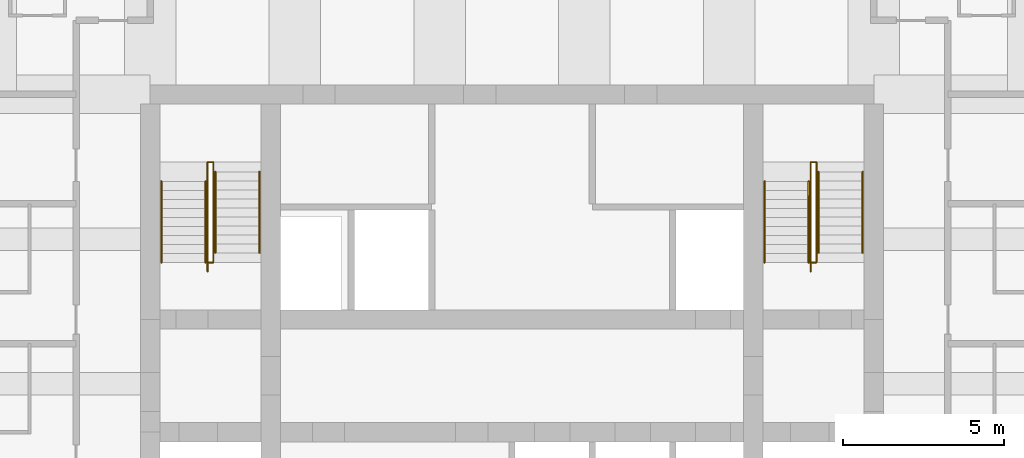
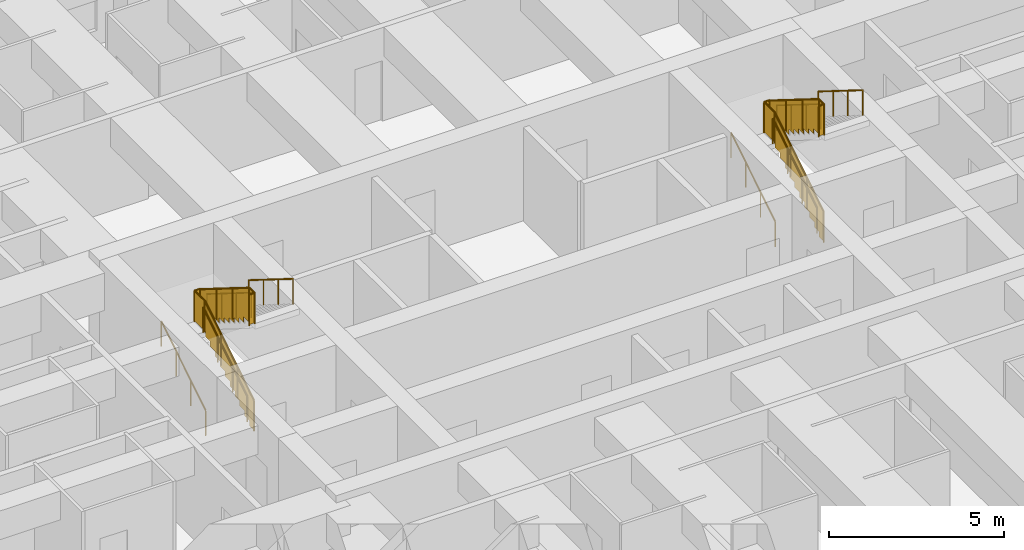
# One storey, part 8 of 8: 12 railings.
"""IFC4 building model written with IfcOpenShell, lengths in metres."""

from ifc_helpers import new_model, si_unit, direction, frame, origin, origin_2d, place, context, subcontext, project, spatial, polyline, circle, outline, extrude, material, type_object, element, save


model = new_model("IFC4")

# Units and contexts
model_context = context("Model", 3, precision=1e-05, world=origin(), true_north=direction((0.0, 1.0)))
body_context = subcontext(model_context, "Body", "Model", "MODEL_VIEW")
ifc_project = project(units=[si_unit("LENGTHUNIT", "METRE"), si_unit("AREAUNIT", "SQUARE_METRE"), si_unit("VOLUMEUNIT", "CUBIC_METRE"), si_unit("PLANEANGLEUNIT", "RADIAN"), si_unit("MASSUNIT", "GRAM", prefix="KILO")], contexts=[model_context])

# Site, building, storey
site_placement = place(None, origin())
site = spatial("IfcSite", under=ifc_project, at=site_placement, CompositionType="ELEMENT")
building_placement = place(site_placement, origin())
building = spatial("IfcBuilding", under=site, at=building_placement, Name="Kilele Tower Hotel", CompositionType="ELEMENT")
storey_placement = place(building_placement, frame((0.0, 0.0, 107.39990234375)))
storey = spatial("IfcBuildingStorey", under=building, at=storey_placement, Name="L27", CompositionType="ELEMENT", Elevation=107.39990234375)

# Railings
ifc_material_1 = material(Name="Steel handrail", Category="steel")
railing_type_1 = type_object("IfcRailingType", Name="Handrail 900", PredefinedType="HANDRAIL", material=ifc_material_1)
for number, where, name in (
    (1, (13.85009765625, 21.77490234375, 0.175048828125), "Handrail ST1 flight 1"),
    (2, (15.22509765625, 21.77490234375, 0.175048828125), "Handrail ST1 flight 1"),
):
    element("IfcRailing", number, at=place(storey_placement, frame(where)), inside=storey, type_object=railing_type_1, Name=name, PredefinedType="HANDRAIL", context=body_context, shape_type="SweptSolid", body=[
        extrude(circle(Radius=0.02490234375, at=origin_2d()), frame((0.0, 0.0, 0.875), z_axis=(0.0, 0.848007534815, 0.529984170421), x_axis=(-1.0, 0.0, 0.0)), (0.0, 0.0, 1.0), 2.9716796875),
        extrude(circle(Radius=0.02001953125, at=origin_2d()), origin(), (0.0, 0.0, 1.0), 0.849853515625),
        extrude(circle(Radius=0.02001953125, at=origin_2d()), frame((0.0, 0.840087890625, 0.52490234375)), (0.0, 0.0, 1.0), 0.849853515625),
        extrude(circle(Radius=0.02001953125, at=origin_2d()), frame((0.0, 1.679931640625, 1.050048828125)), (0.0, 0.0, 1.0), 0.849853515625),
        extrude(circle(Radius=0.02001953125, at=origin_2d()), frame((0.0, 2.52001953125, 1.574951171875)), (0.0, 0.0, 1.0), 0.849853515625),
    ])
for number, where, name in (
    (3, (15.52490234375, 24.594970703125, 1.925048828125), "Handrail ST1 flight 2"),
    (4, (16.89990234375, 24.594970703125, 1.925048828125), "Handrail ST1 flight 2"),
):
    element("IfcRailing", number, at=place(storey_placement, frame(where)), inside=storey, type_object=railing_type_1, Name=name, PredefinedType="HANDRAIL", context=body_context, shape_type="SweptSolid", body=[
        extrude(circle(Radius=0.02490234375, at=origin_2d()), frame((0.0, 0.0, 0.875), z_axis=(0.0, -0.848007534815, 0.529984170421), x_axis=(1.0, 0.0, 0.0)), (0.0, 0.0, 1.0), 2.9716796875),
        extrude(circle(Radius=0.02001953125, at=origin_2d()), origin(), (0.0, 0.0, 1.0), 0.849853515625),
        extrude(circle(Radius=0.02001953125, at=origin_2d()), frame((0.0, -0.840087890625, 0.52490234375)), (0.0, 0.0, 1.0), 0.849853515625),
        extrude(circle(Radius=0.02001953125, at=origin_2d()), frame((0.0, -1.679931640625, 1.050048828125)), (0.0, 0.0, 1.0), 0.849853515625),
        extrude(circle(Radius=0.02001953125, at=origin_2d()), frame((0.0, -2.52001953125, 1.574951171875)), (0.0, 0.0, 1.0), 0.849853515625),
    ])
for number, where, name in (
    (5, (32.60009765625, 21.77490234375, 0.175048828125), "Handrail ST2 flight 1"),
    (6, (33.97509765625, 21.77490234375, 0.175048828125), "Handrail ST2 flight 1"),
):
    element("IfcRailing", number, at=place(storey_placement, frame(where)), inside=storey, type_object=railing_type_1, Name=name, PredefinedType="HANDRAIL", context=body_context, shape_type="SweptSolid", body=[
        extrude(circle(Radius=0.02490234375, at=origin_2d()), frame((0.0, 0.0, 0.875), z_axis=(0.0, 0.848007534815, 0.529984170421), x_axis=(-1.0, 0.0, 0.0)), (0.0, 0.0, 1.0), 2.9716796875),
        extrude(circle(Radius=0.02001953125, at=origin_2d()), origin(), (0.0, 0.0, 1.0), 0.849853515625),
        extrude(circle(Radius=0.02001953125, at=origin_2d()), frame((0.0, 0.840087890625, 0.52490234375)), (0.0, 0.0, 1.0), 0.849853515625),
        extrude(circle(Radius=0.02001953125, at=origin_2d()), frame((0.0, 1.679931640625, 1.050048828125)), (0.0, 0.0, 1.0), 0.849853515625),
        extrude(circle(Radius=0.02001953125, at=origin_2d()), frame((0.0, 2.52001953125, 1.574951171875)), (0.0, 0.0, 1.0), 0.849853515625),
    ])
for number, where, name in (
    (7, (34.27490234375, 24.594970703125, 1.925048828125), "Handrail ST2 flight 2"),
    (8, (35.64990234375, 24.594970703125, 1.925048828125), "Handrail ST2 flight 2"),
):
    element("IfcRailing", number, at=place(storey_placement, frame(where)), inside=storey, type_object=railing_type_1, Name=name, PredefinedType="HANDRAIL", context=body_context, shape_type="SweptSolid", body=[
        extrude(circle(Radius=0.02490234375, at=origin_2d()), frame((0.0, 0.0, 0.875), z_axis=(0.0, -0.848007534815, 0.529984170421), x_axis=(1.0, 0.0, 0.0)), (0.0, 0.0, 1.0), 2.9716796875),
        extrude(circle(Radius=0.02001953125, at=origin_2d()), origin(), (0.0, 0.0, 1.0), 0.849853515625),
        extrude(circle(Radius=0.02001953125, at=origin_2d()), frame((0.0, -0.840087890625, 0.52490234375)), (0.0, 0.0, 1.0), 0.849853515625),
        extrude(circle(Radius=0.02001953125, at=origin_2d()), frame((0.0, -1.679931640625, 1.050048828125)), (0.0, 0.0, 1.0), 0.849853515625),
        extrude(circle(Radius=0.02001953125, at=origin_2d()), frame((0.0, -2.52001953125, 1.574951171875)), (0.0, 0.0, 1.0), 0.849853515625),
    ])
ifc_material_2 = material(Name="Steel guard", Category="steel")
railing_type_2 = type_object("IfcRailingType", Name="Stair guard 1100", PredefinedType="GUARDRAIL", material=ifc_material_2)
railing_1_placement = place(storey_placement, frame((15.284912109375, 21.4951171875, 0.0)))
element("IfcRailing", 9, at=railing_1_placement, inside=storey, type_object=railing_type_2, Name="Stair well guard ST1 flight 1", PredefinedType="GUARDRAIL", context=body_context, shape_type="SweptSolid", body=[
    extrude(circle(Radius=0.02490234375, at=origin_2d()), frame((0.0, 0.0, 1.0751953125), z_axis=(0.0, 0.847981687118, 0.530025526095), x_axis=(-1.0, 0.0, 0.0)), (0.0, 0.0, 1.0), 3.3017578125),
    extrude(circle(Radius=0.02490234375, at=origin_2d()), frame((0.0, 2.7998046875, 2.8251953125), z_axis=(0.0, 1.0, 0.0), x_axis=(-1.0, 0.0, 0.0)), (0.0, 0.0, 1.0), 0.60009765625),
    extrude(circle(Radius=0.02490234375, at=origin_2d()), frame((0.0, 3.39990234375, 2.8251953125), z_axis=(1.0, 0.0, 0.0), x_axis=(0.0, 1.0, 0.0)), (0.0, 0.0, 1.0), 0.18017578125),
    extrude(circle(Radius=0.02490234375, at=origin_2d()), origin(), (0.0, 0.0, 1.0), 1.050048828125),
    extrude(circle(Radius=0.02490234375, at=origin_2d()), frame((0.0, 0.933349609375, 0.583251953125)), (0.0, 0.0, 1.0), 1.050048828125),
    extrude(circle(Radius=0.02490234375, at=origin_2d()), frame((0.0, 1.866455078125, 1.166748046875)), (0.0, 0.0, 1.0), 1.050048828125),
    extrude(circle(Radius=0.02490234375, at=origin_2d()), frame((0.0, 2.7998046875, 1.75)), (0.0, 0.0, 1.0), 1.050048828125),
    extrude(circle(Radius=0.02490234375, at=origin_2d()), frame((0.0, 3.39990234375, 1.75)), (0.0, 0.0, 1.0), 1.050048828125),
    extrude(circle(Radius=0.02490234375, at=origin_2d()), frame((0.18017578125, 3.39990234375, 1.75)), (0.0, 0.0, 1.0), 1.050048828125),
    extrude(outline(polyline([(0.012451171875, 0.030029296875), (0.25, 0.030029296875), (0.25, 0.205078125), (0.530029296875, 0.205078125), (0.530029296875, 0.380126953125), (0.809814453125, 0.380126953125), (0.809814453125, 0.554931640625), (1.08984375, 0.554931640625), (1.08984375, 0.72998046875), (1.369873046875, 0.72998046875), (1.369873046875, 0.905029296875), (1.64990234375, 0.905029296875), (1.64990234375, 1.080078125), (1.929931640625, 1.080078125), (1.929931640625, 1.255126953125), (2.209716796875, 1.255126953125), (2.209716796875, 1.429931640625), (2.48974609375, 1.429931640625), (2.48974609375, 1.60498046875), (2.769775390625, 1.60498046875), (2.769775390625, 1.780029296875), (2.787353515625, 1.780029296875), (2.787353515625, 2.787841796875), (0.012451171875, 1.053466796875), (0.012451171875, 0.030029296875)])), frame((-0.005859375, 0.0, 0.0), z_axis=(1.0, 0.0, 0.0), x_axis=(0.0, 1.0, 0.0)), (0.0, 0.0, 1.0), 0.011962890625),
    extrude(outline(polyline([(0.012451171875, 0.030029296875), (0.587646484375, 0.030029296875), (0.587646484375, 1.050048828125), (0.012451171875, 1.050048828125), (0.012451171875, 0.030029296875)])), frame((-0.005859375, 2.7998046875, 1.75), z_axis=(1.0, 0.0, 0.0), x_axis=(0.0, 1.0, 0.0)), (0.0, 0.0, 1.0), 0.011962890625),
    extrude(outline(polyline([(0.012451171875, 0.030029296875), (0.18017578125, 0.030029296875), (0.18017578125, 1.050048828125), (0.012451171875, 1.050048828125), (0.012451171875, 0.030029296875)])), frame((0.0, 3.40576171875, 1.75), z_axis=(0.0, -1.0, 0.0), x_axis=(1.0, 0.0, 0.0)), (0.0, 0.0, 1.0), 0.011962890625),
])
railing_2_placement = place(storey_placement, frame((15.465087890625, 24.89501953125, 1.75)))
element("IfcRailing", 10, at=railing_2_placement, inside=storey, type_object=railing_type_2, Name="Stair well guard ST1 flight 2", PredefinedType="GUARDRAIL", context=body_context, shape_type="SweptSolid", body=[
    extrude(circle(Radius=0.02490234375, at=origin_2d()), frame((0.0, 0.0, 1.0751953125), z_axis=(0.0, -1.0, 0.0), x_axis=(1.0, 0.0, 0.0)), (0.0, 0.0, 1.0), 0.02001953125),
    extrude(circle(Radius=0.02490234375, at=origin_2d()), frame((0.0, -0.02001953125, 1.0751953125), z_axis=(0.0, -0.848002457836, 0.529992293815), x_axis=(1.0, 0.0, 0.0)), (0.0, 0.0, 1.0), 3.302001953125),
    extrude(circle(Radius=0.02490234375, at=origin_2d()), frame((0.0, -2.820068359375, 2.8251953125), z_axis=(0.0, -1.0, 0.0), x_axis=(1.0, 0.0, 0.0)), (0.0, 0.0, 1.0), 0.300048828125),
    extrude(circle(Radius=0.02490234375, at=origin_2d()), frame((0.0, -3.1201171875, 2.8251953125), z_axis=(-1.0, 0.0, 0.0), x_axis=(0.0, -1.0, 0.0)), (0.0, 0.0, 1.0), 0.18017578125),
    extrude(circle(Radius=0.02490234375, at=origin_2d()), origin(), (0.0, 0.0, 1.0), 1.050048828125),
    extrude(circle(Radius=0.02490234375, at=origin_2d()), frame((0.0, -0.02001953125, 0.0)), (0.0, 0.0, 1.0), 1.050048828125),
    extrude(circle(Radius=0.02490234375, at=origin_2d()), frame((0.0, -0.953369140625, 0.583251953125)), (0.0, 0.0, 1.0), 1.050048828125),
    extrude(circle(Radius=0.02490234375, at=origin_2d()), frame((0.0, -1.88671875, 1.166748046875)), (0.0, 0.0, 1.0), 1.050048828125),
    extrude(circle(Radius=0.02490234375, at=origin_2d()), frame((0.0, -2.820068359375, 1.75)), (0.0, 0.0, 1.0), 1.050048828125),
    extrude(circle(Radius=0.02490234375, at=origin_2d()), frame((0.0, -3.1201171875, 1.75)), (0.0, 0.0, 1.0), 1.050048828125),
    extrude(circle(Radius=0.02490234375, at=origin_2d()), frame((-0.18017578125, -3.1201171875, 1.75)), (0.0, 0.0, 1.0), 1.050048828125),
    extrude(outline(polyline([(0.012451171875, 0.030029296875), (0.25, 0.030029296875), (0.25, 0.205078125), (0.530029296875, 0.205078125), (0.530029296875, 0.380126953125), (0.81005859375, 0.380126953125), (0.81005859375, 0.554931640625), (1.090087890625, 0.554931640625), (1.090087890625, 0.72998046875), (1.3701171875, 0.72998046875), (1.3701171875, 0.905029296875), (1.64990234375, 0.905029296875), (1.64990234375, 1.080078125), (1.929931640625, 1.080078125), (1.929931640625, 1.255126953125), (2.2099609375, 1.255126953125), (2.2099609375, 1.429931640625), (2.489990234375, 1.429931640625), (2.489990234375, 1.60498046875), (2.77001953125, 1.60498046875), (2.77001953125, 1.780029296875), (2.78759765625, 1.780029296875), (2.78759765625, 2.787841796875), (0.012451171875, 1.053466796875), (0.012451171875, 0.030029296875)])), frame((0.005859375, -0.02001953125, 0.0), z_axis=(-1.0, 0.0, 0.0), x_axis=(0.0, -1.0, 0.0)), (0.0, 0.0, 1.0), 0.011962890625),
    extrude(outline(polyline([(0.012451171875, 0.030029296875), (0.28759765625, 0.030029296875), (0.28759765625, 1.050048828125), (0.012451171875, 1.050048828125), (0.012451171875, 0.030029296875)])), frame((0.005859375, -2.820068359375, 1.75), z_axis=(-1.0, 0.0, 0.0), x_axis=(0.0, -1.0, 0.0)), (0.0, 0.0, 1.0), 0.011962890625),
    extrude(outline(polyline([(0.012451171875, 0.030029296875), (0.18017578125, 0.030029296875), (0.18017578125, 1.050048828125), (0.012451171875, 1.050048828125), (0.012451171875, 0.030029296875)])), frame((0.0, -3.1259765625, 1.75), z_axis=(0.0, 1.0, 0.0), x_axis=(-1.0, 0.0, 0.0)), (0.0, 0.0, 1.0), 0.011962890625),
])
railing_3_placement = place(storey_placement, frame((34.034912109375, 21.4951171875, 0.0)))
element("IfcRailing", 11, at=railing_3_placement, inside=storey, type_object=railing_type_2, Name="Stair well guard ST2 flight 1", PredefinedType="GUARDRAIL", context=body_context, shape_type="SweptSolid", body=[
    extrude(circle(Radius=0.02490234375, at=origin_2d()), frame((0.0, 0.0, 1.0751953125), z_axis=(0.0, 0.847981687118, 0.530025526095), x_axis=(-1.0, 0.0, 0.0)), (0.0, 0.0, 1.0), 3.3017578125),
    extrude(circle(Radius=0.02490234375, at=origin_2d()), frame((0.0, 2.7998046875, 2.8251953125), z_axis=(0.0, 1.0, 0.0), x_axis=(-1.0, 0.0, 0.0)), (0.0, 0.0, 1.0), 0.60009765625),
    extrude(circle(Radius=0.02490234375, at=origin_2d()), frame((0.0, 3.39990234375, 2.8251953125), z_axis=(1.0, 0.0, 0.0), x_axis=(0.0, 1.0, 0.0)), (0.0, 0.0, 1.0), 0.18017578125),
    extrude(circle(Radius=0.02490234375, at=origin_2d()), origin(), (0.0, 0.0, 1.0), 1.050048828125),
    extrude(circle(Radius=0.02490234375, at=origin_2d()), frame((0.0, 0.933349609375, 0.583251953125)), (0.0, 0.0, 1.0), 1.050048828125),
    extrude(circle(Radius=0.02490234375, at=origin_2d()), frame((0.0, 1.866455078125, 1.166748046875)), (0.0, 0.0, 1.0), 1.050048828125),
    extrude(circle(Radius=0.02490234375, at=origin_2d()), frame((0.0, 2.7998046875, 1.75)), (0.0, 0.0, 1.0), 1.050048828125),
    extrude(circle(Radius=0.02490234375, at=origin_2d()), frame((0.0, 3.39990234375, 1.75)), (0.0, 0.0, 1.0), 1.050048828125),
    extrude(circle(Radius=0.02490234375, at=origin_2d()), frame((0.18017578125, 3.39990234375, 1.75)), (0.0, 0.0, 1.0), 1.050048828125),
    extrude(outline(polyline([(0.012451171875, 0.030029296875), (0.25, 0.030029296875), (0.25, 0.205078125), (0.530029296875, 0.205078125), (0.530029296875, 0.380126953125), (0.809814453125, 0.380126953125), (0.809814453125, 0.554931640625), (1.08984375, 0.554931640625), (1.08984375, 0.72998046875), (1.369873046875, 0.72998046875), (1.369873046875, 0.905029296875), (1.64990234375, 0.905029296875), (1.64990234375, 1.080078125), (1.929931640625, 1.080078125), (1.929931640625, 1.255126953125), (2.209716796875, 1.255126953125), (2.209716796875, 1.429931640625), (2.48974609375, 1.429931640625), (2.48974609375, 1.60498046875), (2.769775390625, 1.60498046875), (2.769775390625, 1.780029296875), (2.787353515625, 1.780029296875), (2.787353515625, 2.787841796875), (0.012451171875, 1.053466796875), (0.012451171875, 0.030029296875)])), frame((-0.005859375, 0.0, 0.0), z_axis=(1.0, 0.0, 0.0), x_axis=(0.0, 1.0, 0.0)), (0.0, 0.0, 1.0), 0.011962890625),
    extrude(outline(polyline([(0.012451171875, 0.030029296875), (0.587646484375, 0.030029296875), (0.587646484375, 1.050048828125), (0.012451171875, 1.050048828125), (0.012451171875, 0.030029296875)])), frame((-0.005859375, 2.7998046875, 1.75), z_axis=(1.0, 0.0, 0.0), x_axis=(0.0, 1.0, 0.0)), (0.0, 0.0, 1.0), 0.011962890625),
    extrude(outline(polyline([(0.012451171875, 0.030029296875), (0.18017578125, 0.030029296875), (0.18017578125, 1.050048828125), (0.012451171875, 1.050048828125), (0.012451171875, 0.030029296875)])), frame((0.0, 3.40576171875, 1.75), z_axis=(0.0, -1.0, 0.0), x_axis=(1.0, 0.0, 0.0)), (0.0, 0.0, 1.0), 0.011962890625),
])
railing_4_placement = place(storey_placement, frame((34.215087890625, 24.89501953125, 1.75)))
element("IfcRailing", 12, at=railing_4_placement, inside=storey, type_object=railing_type_2, Name="Stair well guard ST2 flight 2", PredefinedType="GUARDRAIL", context=body_context, shape_type="SweptSolid", body=[
    extrude(circle(Radius=0.02490234375, at=origin_2d()), frame((0.0, 0.0, 1.0751953125), z_axis=(0.0, -1.0, 0.0), x_axis=(1.0, 0.0, 0.0)), (0.0, 0.0, 1.0), 0.02001953125),
    extrude(circle(Radius=0.02490234375, at=origin_2d()), frame((0.0, -0.02001953125, 1.0751953125), z_axis=(0.0, -0.848002457836, 0.529992293815), x_axis=(1.0, 0.0, 0.0)), (0.0, 0.0, 1.0), 3.302001953125),
    extrude(circle(Radius=0.02490234375, at=origin_2d()), frame((0.0, -2.820068359375, 2.8251953125), z_axis=(0.0, -1.0, 0.0), x_axis=(1.0, 0.0, 0.0)), (0.0, 0.0, 1.0), 0.300048828125),
    extrude(circle(Radius=0.02490234375, at=origin_2d()), frame((0.0, -3.1201171875, 2.8251953125), z_axis=(-1.0, 0.0, 0.0), x_axis=(0.0, -1.0, 0.0)), (0.0, 0.0, 1.0), 0.18017578125),
    extrude(circle(Radius=0.02490234375, at=origin_2d()), origin(), (0.0, 0.0, 1.0), 1.050048828125),
    extrude(circle(Radius=0.02490234375, at=origin_2d()), frame((0.0, -0.02001953125, 0.0)), (0.0, 0.0, 1.0), 1.050048828125),
    extrude(circle(Radius=0.02490234375, at=origin_2d()), frame((0.0, -0.953369140625, 0.583251953125)), (0.0, 0.0, 1.0), 1.050048828125),
    extrude(circle(Radius=0.02490234375, at=origin_2d()), frame((0.0, -1.88671875, 1.166748046875)), (0.0, 0.0, 1.0), 1.050048828125),
    extrude(circle(Radius=0.02490234375, at=origin_2d()), frame((0.0, -2.820068359375, 1.75)), (0.0, 0.0, 1.0), 1.050048828125),
    extrude(circle(Radius=0.02490234375, at=origin_2d()), frame((0.0, -3.1201171875, 1.75)), (0.0, 0.0, 1.0), 1.050048828125),
    extrude(circle(Radius=0.02490234375, at=origin_2d()), frame((-0.18017578125, -3.1201171875, 1.75)), (0.0, 0.0, 1.0), 1.050048828125),
    extrude(outline(polyline([(0.012451171875, 0.030029296875), (0.25, 0.030029296875), (0.25, 0.205078125), (0.530029296875, 0.205078125), (0.530029296875, 0.380126953125), (0.81005859375, 0.380126953125), (0.81005859375, 0.554931640625), (1.090087890625, 0.554931640625), (1.090087890625, 0.72998046875), (1.3701171875, 0.72998046875), (1.3701171875, 0.905029296875), (1.64990234375, 0.905029296875), (1.64990234375, 1.080078125), (1.929931640625, 1.080078125), (1.929931640625, 1.255126953125), (2.2099609375, 1.255126953125), (2.2099609375, 1.429931640625), (2.489990234375, 1.429931640625), (2.489990234375, 1.60498046875), (2.77001953125, 1.60498046875), (2.77001953125, 1.780029296875), (2.78759765625, 1.780029296875), (2.78759765625, 2.787841796875), (0.012451171875, 1.053466796875), (0.012451171875, 0.030029296875)])), frame((0.005859375, -0.02001953125, 0.0), z_axis=(-1.0, 0.0, 0.0), x_axis=(0.0, -1.0, 0.0)), (0.0, 0.0, 1.0), 0.011962890625),
    extrude(outline(polyline([(0.012451171875, 0.030029296875), (0.28759765625, 0.030029296875), (0.28759765625, 1.050048828125), (0.012451171875, 1.050048828125), (0.012451171875, 0.030029296875)])), frame((0.005859375, -2.820068359375, 1.75), z_axis=(-1.0, 0.0, 0.0), x_axis=(0.0, -1.0, 0.0)), (0.0, 0.0, 1.0), 0.011962890625),
    extrude(outline(polyline([(0.012451171875, 0.030029296875), (0.18017578125, 0.030029296875), (0.18017578125, 1.050048828125), (0.012451171875, 1.050048828125), (0.012451171875, 0.030029296875)])), frame((0.0, -3.1259765625, 1.75), z_axis=(0.0, 1.0, 0.0), x_axis=(-1.0, 0.0, 0.0)), (0.0, 0.0, 1.0), 0.011962890625),
])

save(model, "model.ifc")
